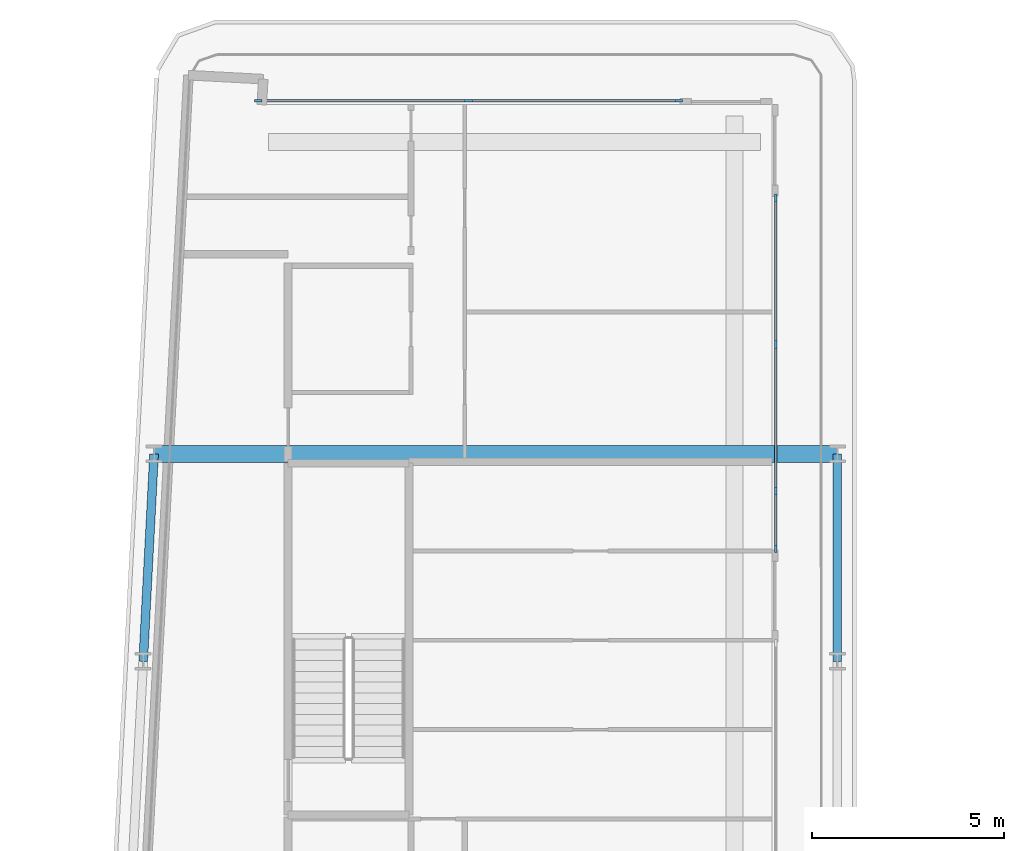
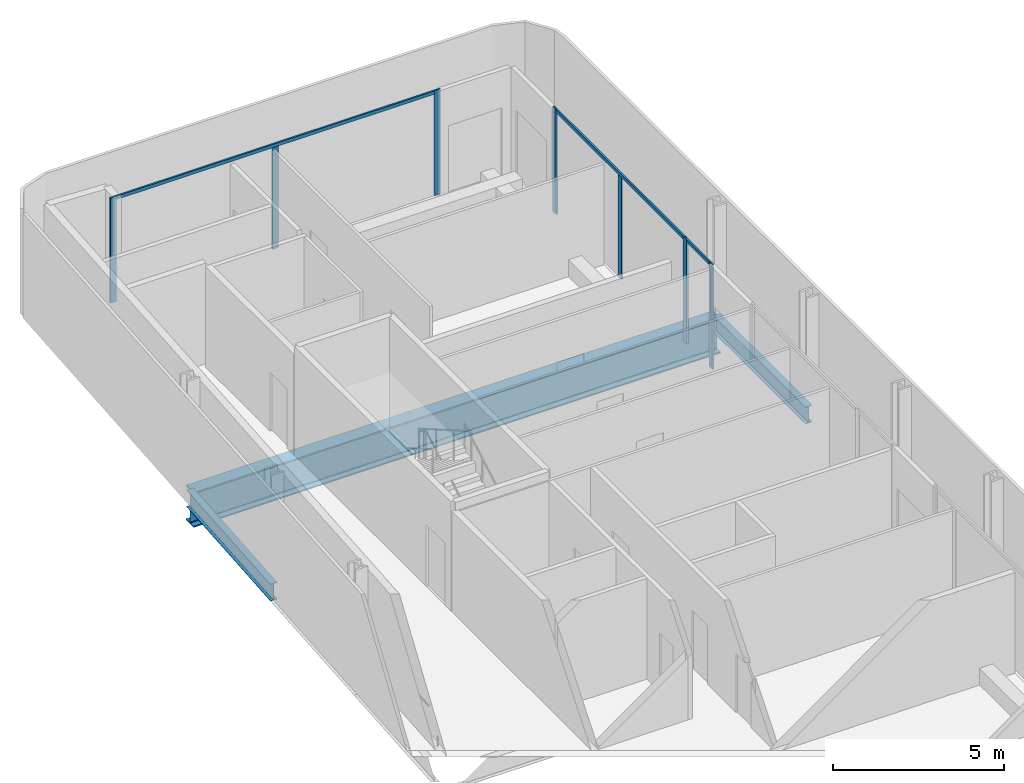
# One storey, part 9 of 29: 10 members, 3 beams, 3 elements without a shape of their own.
"""IFC4 building model written with IfcOpenShell, lengths in metres."""

from ifc_helpers import new_model, si_unit, direction, frame, origin, origin_2d, place, context, subcontext, project, spatial, rectangle, i_section, extrude, material, layer, layer_set, material_profile, profile_set, type_object, element, aggregate, save


model = new_model("IFC4")

# Units and contexts
model_context = context("Model", 3, precision=1e-05, world=origin(), true_north=direction((0.0, 1.0)))
body_context = subcontext(model_context, "Body", "Model", "MODEL_VIEW")
ifc_project = project(units=[si_unit("LENGTHUNIT", "METRE"), si_unit("AREAUNIT", "SQUARE_METRE"), si_unit("VOLUMEUNIT", "CUBIC_METRE"), si_unit("PLANEANGLEUNIT", "RADIAN"), si_unit("MASSUNIT", "GRAM", prefix="KILO")], contexts=[model_context])

# Site, building, storey
site_placement = place(None, origin())
site = spatial("IfcSite", under=ifc_project, at=site_placement, CompositionType="ELEMENT")
building_placement = place(site_placement, origin())
building = spatial("IfcBuilding", under=site, at=building_placement, Name="Kheshtan School and Residences Tower", CompositionType="ELEMENT")
storey_placement = place(building_placement, frame((0.0, 0.0, 121.39990234375)))
storey = spatial("IfcBuildingStorey", under=building, at=storey_placement, Name="L28", CompositionType="ELEMENT", Elevation=121.39990234375)

# Beams
ifc_material_1 = material(Name="Steel ASTM A992 Grade 50", Category="steel")
ifc_material_profile_1 = material_profile(ifc_material_1, i_section(OverallWidth=0.22802734375, OverallDepth=0.60302734375, WebThickness=0.010498046875, FlangeThickness=0.014892578125, FilletRadius=0.013427734375, at=origin_2d()), Name="W610x101")
ifc_profile_set_1 = profile_set([ifc_material_profile_1], Name="Steel ASTM A992 Grade 50")
beam_type_1 = type_object("IfcBeamType", Name="Beam SP2 W610x101 ASTM A992 Grade 50", PredefinedType="BEAM", material=ifc_profile_set_1)
beam_1_placement = place(storey_placement, frame((47.60009765625, 88.800048828125, -0.451416015625), z_axis=(0.0, -1.0, 0.0), x_axis=(1.0, 0.0, 0.0)))
element("IfcBeam", 1, at=beam_1_placement, inside=storey, type_object=beam_type_1, Name="Spandrel beam C099-C091", PredefinedType="BEAM", context=body_context, shape_type="SweptSolid", body=[
    extrude(i_section(OverallWidth=0.22802734375, OverallDepth=0.60302734375, WebThickness=0.010498046875, FlangeThickness=0.014892578125, FilletRadius=0.013427734375, at=origin_2d()), origin(), (0.0, 0.0, 1.0), 5.400146484375),
])
beam_2_placement = place(storey_placement, frame((29.527099609375, 83.39990234375, -0.451416015625), z_axis=(0.05250670125, 0.998620571751, 0.0), x_axis=(-0.998620571751, 0.05250670125, 0.0)))
element("IfcBeam", 2, at=beam_2_placement, inside=storey, type_object=beam_type_1, Name="Spandrel beam C090-C098", PredefinedType="BEAM", context=body_context, shape_type="SweptSolid", body=[
    extrude(i_section(OverallWidth=0.22802734375, OverallDepth=0.60302734375, WebThickness=0.010498046875, FlangeThickness=0.014892578125, FilletRadius=0.013427734375, at=origin_2d()), origin(), (0.0, 0.0, 1.0), 5.40771484375),
])

# Curtain wall, members
ifc_material_2 = material(Name="Clear low-e glass in thermally broken aluminium frame", Category="aluminium")
ifc_layer = layer(ifc_material_2, 0.199951171875)
ifc_layer_set = layer_set([ifc_layer], Name="Curtain wall CW-L")
curtain_wall_type = type_object("IfcCurtainWallType", Name="Curtain wall CW-L", PredefinedType="NOTDEFINED", material=ifc_layer_set)
curtain_wall_1_placement = place(storey_placement, origin())
curtain_wall_1 = element("IfcCurtainWall", 3, at=curtain_wall_1_placement, inside=storey, type_object=curtain_wall_type, Name="Curtain wall CWL7", PredefinedType="NOTDEFINED")
ifc_material_3 = material(Name="Thermally broken aluminium, dark bronze anodised", Category="aluminium")
ifc_material_profile_2 = material_profile(ifc_material_3, rectangle(XDim=0.06005859375, YDim=0.199951171875, at=origin_2d()), Name="CW-L mullion 60x200")
ifc_profile_set_2 = profile_set([ifc_material_profile_2], Name="Thermally broken aluminium, dark bronze anodised")
member_type_1 = type_object("IfcMemberType", Name="CW-L mullion 60x200", PredefinedType="MULLION", material=ifc_profile_set_2)
member_1_placement = place(storey_placement, frame((32.52197265625, 98.0, 0.0), z_axis=(0.0, 0.0, 1.0), x_axis=(0.0, 1.0, 0.0)))
member_1 = element("IfcMember", 4, at=member_1_placement, type_object=member_type_1, Name="CWL7 mullion 1", PredefinedType="MULLION", context=body_context, shape_type="SweptSolid", body=[
    extrude(rectangle(XDim=0.06005859375, YDim=0.199951171875, at=origin_2d()), origin(), (0.0, 0.0, 1.0), 3.75),
])
member_2_placement = place(storey_placement, frame((37.99609375, 98.0, 0.0), z_axis=(0.0, 0.0, 1.0), x_axis=(0.0, 1.0, 0.0)))
member_2 = element("IfcMember", 5, at=member_2_placement, type_object=member_type_1, Name="CWL7 mullion 2", PredefinedType="MULLION", context=body_context, shape_type="SweptSolid", body=[
    extrude(rectangle(XDim=0.06005859375, YDim=0.199951171875, at=origin_2d()), origin(), (0.0, 0.0, 1.0), 3.630126953125),
])
member_3_placement = place(storey_placement, frame((43.469970703125, 98.0, 0.0), z_axis=(0.0, 0.0, 1.0), x_axis=(0.0, 1.0, 0.0)))
member_3 = element("IfcMember", 6, at=member_3_placement, type_object=member_type_1, Name="CWL7 mullion 3", PredefinedType="MULLION", context=body_context, shape_type="SweptSolid", body=[
    extrude(rectangle(XDim=0.06005859375, YDim=0.199951171875, at=origin_2d()), origin(), (0.0, 0.0, 1.0), 3.75),
])

curtain_wall_2_placement = place(storey_placement, origin())
curtain_wall_2 = element("IfcCurtainWall", 7, at=curtain_wall_2_placement, inside=storey, type_object=curtain_wall_type, Name="Curtain wall CWL8", PredefinedType="NOTDEFINED")
member_4_placement = place(storey_placement, frame((46.0, 95.469970703125, 0.0), z_axis=(0.0, 0.0, 1.0), x_axis=(1.0, 0.0, 0.0)))
member_4 = element("IfcMember", 8, at=member_4_placement, type_object=member_type_1, Name="CWL8 mullion 1", PredefinedType="MULLION", context=body_context, shape_type="SweptSolid", body=[
    extrude(rectangle(XDim=0.06005859375, YDim=0.199951171875, at=origin_2d()), origin(), (0.0, 0.0, 1.0), 3.75),
])
member_5_placement = place(storey_placement, frame((46.0, 91.653076171875, 0.0), z_axis=(0.0, 0.0, 1.0), x_axis=(1.0, 0.0, 0.0)))
member_5 = element("IfcMember", 9, at=member_5_placement, type_object=member_type_1, Name="CWL8 mullion 2", PredefinedType="MULLION", context=body_context, shape_type="SweptSolid", body=[
    extrude(rectangle(XDim=0.06005859375, YDim=0.199951171875, at=origin_2d()), origin(), (0.0, 0.0, 1.0), 3.630126953125),
])
member_6_placement = place(storey_placement, frame((46.0, 87.8359375, 0.0), z_axis=(0.0, 0.0, 1.0), x_axis=(1.0, 0.0, 0.0)))
member_6 = element("IfcMember", 10, at=member_6_placement, type_object=member_type_1, Name="CWL8 mullion 3", PredefinedType="MULLION", context=body_context, shape_type="SweptSolid", body=[
    extrude(rectangle(XDim=0.06005859375, YDim=0.199951171875, at=origin_2d()), origin(), (0.0, 0.0, 1.0), 3.75),
])

# Curtain wall, member
curtain_wall_3_placement = place(storey_placement, origin())
curtain_wall_3 = element("IfcCurtainWall", 11, at=curtain_wall_3_placement, inside=storey, type_object=curtain_wall_type, Name="Curtain wall CWL8a", PredefinedType="NOTDEFINED")
member_7_placement = place(storey_placement, frame((46.0, 86.3359375, 0.0), z_axis=(0.0, 0.0, 1.0), x_axis=(1.0, 0.0, 0.0)))
member_7 = element("IfcMember", 12, at=member_7_placement, type_object=member_type_1, Name="CWL8a mullion 2", PredefinedType="MULLION", context=body_context, shape_type="SweptSolid", body=[
    extrude(rectangle(XDim=0.06005859375, YDim=0.199951171875, at=origin_2d()), origin(), (0.0, 0.0, 1.0), 3.75),
])

# Member
ifc_material_profile_3 = material_profile(ifc_material_3, rectangle(XDim=0.06005859375, YDim=0.1201171875, at=origin_2d()), Name="CW-L transom 60x120")
ifc_profile_set_3 = profile_set([ifc_material_profile_3], Name="Thermally broken aluminium, dark bronze anodised")
member_type_2 = type_object("IfcMemberType", Name="CW-L transom 60x120", PredefinedType="USERDEFINED", material=ifc_profile_set_3)
member_8_placement = place(storey_placement, frame((32.552001953125, 98.0, 3.690185546875), z_axis=(1.0, 0.0, 0.0), x_axis=(0.0, 1.0, 0.0)))
member_8 = element("IfcMember", 13, at=member_8_placement, type_object=member_type_2, Name="CWL7 transom 1", ObjectType="TRANSOM", PredefinedType="USERDEFINED", context=body_context, shape_type="SweptSolid", body=[
    extrude(rectangle(XDim=0.06005859375, YDim=0.1201171875, at=origin_2d()), origin(), (0.0, 0.0, 1.0), 10.887939453125),
])

aggregate(curtain_wall_1, [member_1, member_2, member_3, member_8])

member_9_placement = place(storey_placement, frame((46.0, 95.43994140625, 3.690185546875), z_axis=(0.0, -1.0, 0.0), x_axis=(1.0, 0.0, 0.0)))
member_9 = element("IfcMember", 14, at=member_9_placement, type_object=member_type_2, Name="CWL8 transom 1", ObjectType="TRANSOM", PredefinedType="USERDEFINED", context=body_context, shape_type="SweptSolid", body=[
    extrude(rectangle(XDim=0.06005859375, YDim=0.1201171875, at=origin_2d()), origin(), (0.0, 0.0, 1.0), 7.573974609375),
])

aggregate(curtain_wall_2, [member_4, member_5, member_6, member_9])

member_10_placement = place(storey_placement, frame((46.0, 87.805908203125, 3.690185546875), z_axis=(0.0, -1.0, 0.0), x_axis=(1.0, 0.0, 0.0)))
member_10 = element("IfcMember", 15, at=member_10_placement, type_object=member_type_2, Name="CWL8a transom 1", ObjectType="TRANSOM", PredefinedType="USERDEFINED", context=body_context, shape_type="SweptSolid", body=[
    extrude(rectangle(XDim=0.06005859375, YDim=0.1201171875, at=origin_2d()), origin(), (0.0, 0.0, 1.0), 1.43994140625),
])

aggregate(curtain_wall_3, [member_7, member_10])

# Beam
ifc_material_profile_4 = material_profile(ifc_material_1, i_section(OverallWidth=0.449951171875, OverallDepth=1.25, WebThickness=0.02490234375, FlangeThickness=0.044921875, FilletRadius=0.03759765625, at=origin_2d()), Name="WWF1250x546")
ifc_profile_set_4 = profile_set([ifc_material_profile_4], Name="Steel ASTM A992 Grade 50")
beam_type_2 = type_object("IfcBeamType", Name="Transfer girder TG4 WWF1250x546 ASTM A992 Grade 50", PredefinedType="BEAM", material=ifc_profile_set_4)
beam_3_placement = place(storey_placement, frame((29.81103515625, 88.800048828125, -0.77490234375), z_axis=(1.0, 0.0, 0.0), x_axis=(0.0, 1.0, 0.0)))
element("IfcBeam", 16, at=beam_3_placement, inside=storey, type_object=beam_type_2, Name="Transfer girder C098-C099", PredefinedType="BEAM", context=body_context, shape_type="SweptSolid", body=[
    extrude(i_section(OverallWidth=0.449951171875, OverallDepth=1.25, WebThickness=0.02490234375, FlangeThickness=0.044921875, FilletRadius=0.03759765625, at=origin_2d()), origin(), (0.0, 0.0, 1.0), 17.7890625),
])

save(model, "model.ifc")
